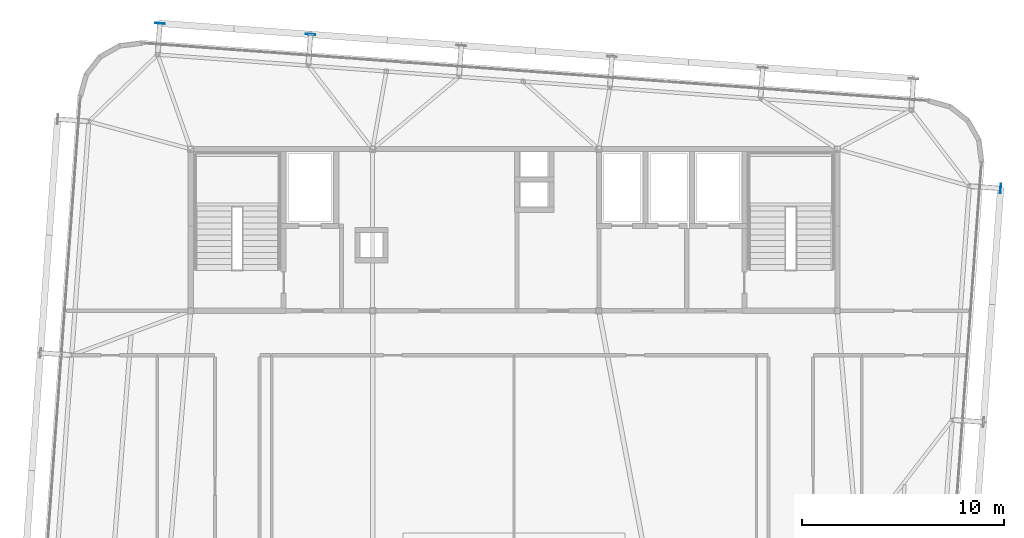
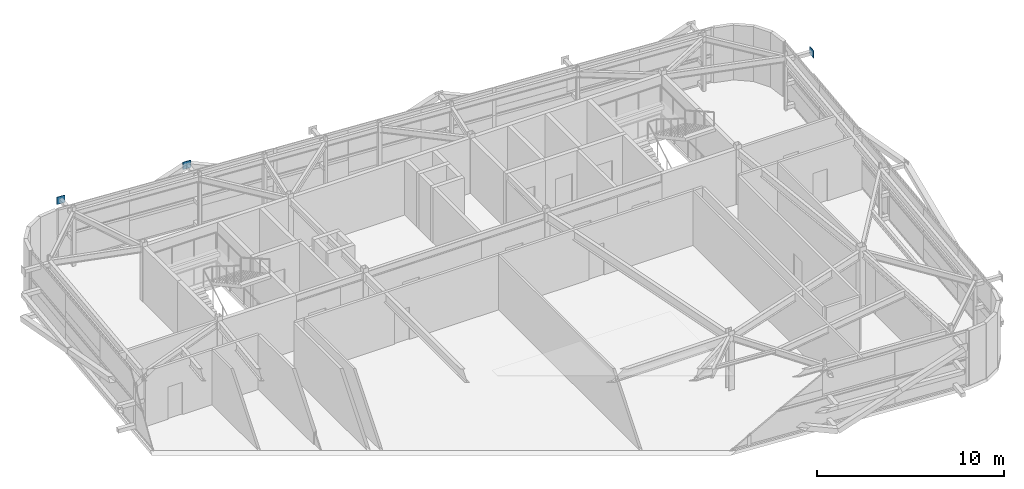
# One storey, part 28 of 35: 3 plates.
"""IFC4 building model written with IfcOpenShell, lengths in metres."""

from ifc_helpers import new_model, si_unit, direction, frame, origin, origin_2d, place, context, subcontext, project, spatial, rectangle, extrude, source, transform, mapped, material, layer, layer_set, type_object, element, save


model = new_model("IFC4")

# Units and contexts
model_context = context("Model", 3, precision=1e-05, world=origin(), true_north=direction((0.0, 1.0)))
body_context = subcontext(model_context, "Body", "Model", "MODEL_VIEW")
ifc_project = project(units=[si_unit("LENGTHUNIT", "METRE"), si_unit("AREAUNIT", "SQUARE_METRE"), si_unit("VOLUMEUNIT", "CUBIC_METRE"), si_unit("PLANEANGLEUNIT", "RADIAN"), si_unit("MASSUNIT", "GRAM", prefix="KILO")], contexts=[model_context])

# Site, building, storey
site_placement = place(None, origin())
site = spatial("IfcSite", under=ifc_project, at=site_placement, CompositionType="ELEMENT")
building_placement = place(site_placement, origin())
building = spatial("IfcBuilding", under=site, at=building_placement, Name="Taldren Reach Tower", CompositionType="ELEMENT")
storey_placement = place(building_placement, frame((0.0, 0.0, 249.199951171875)))
storey = spatial("IfcBuildingStorey", under=building, at=storey_placement, Name="L76", CompositionType="ELEMENT", Elevation=249.199951171875)

# Plates
ifc_material = material(Name="Steel Gr 450 (C450L0)", Category="steel")
ifc_layer = layer(ifc_material, 0.031982421875)
ifc_layer_set = layer_set([ifc_layer], Name="Steel Gr 450 (C450L0)")
plate_type = type_object("IfcPlateType", Name="PL-GUSSET-32", PredefinedType="SHEET", material=ifc_layer_set)
shared_shape = source(origin(), body_context, "Body", "SweptSolid", [
    extrude(rectangle(XDim=0.47998046875, YDim=0.031982421875, at=origin_2d()), origin(), (0.0, 0.0, 1.0), 0.47998046875),
])
for number, where, z_axis, x_axis, name in (
    (1, (17.473388671875, 38.224609375, 3.050048828125), (0.0, 0.0, 1.0), (0.997314477224, -0.073238197128, 0.0), "Exoskeleton star-node gusset plate B5-N1 L76"),
    (2, (24.93310546875, 37.677001953125, 3.050048828125), (0.0, 0.0, 1.0), (0.997314477224, -0.073238197128, 0.0), "Exoskeleton star-node gusset plate B5-N2 L76"),
    (3, (59.086669921875, 30.05517578125, 3.050048828125), (0.0, 0.0, 1.0), (0.073238197128, 0.997314477224, 0.0), "Exoskeleton star-node gusset plate B5-E3 L76"),
):
    element("IfcPlate", number, at=place(storey_placement, frame(where, z_axis=z_axis, x_axis=x_axis)), inside=storey, type_object=plate_type, Name=name, PredefinedType="SHEET", context=body_context, shape_type="MappedRepresentation", body=[
        mapped(shared_shape, transform((0.0, 0.0, 0.0), scale=1.0)),
    ])

save(model, "model.ifc")
